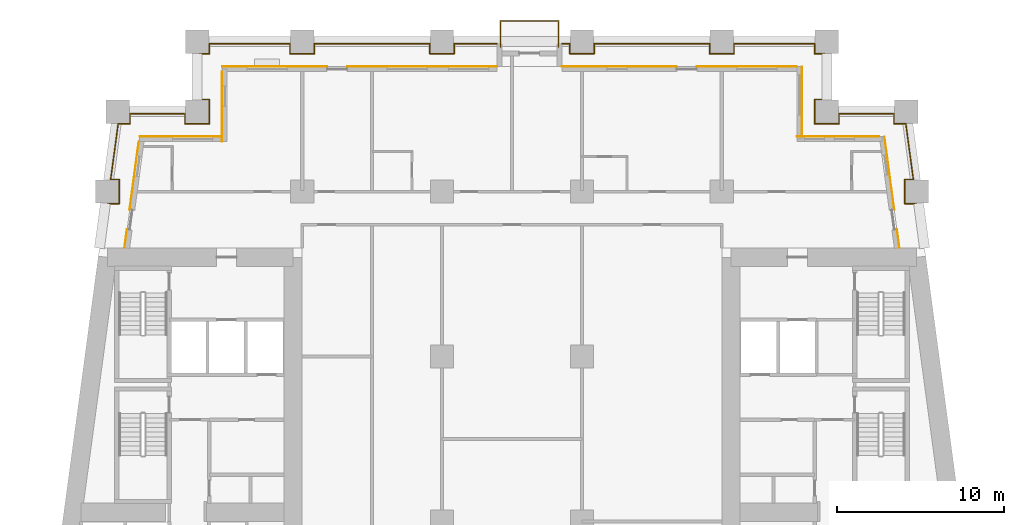
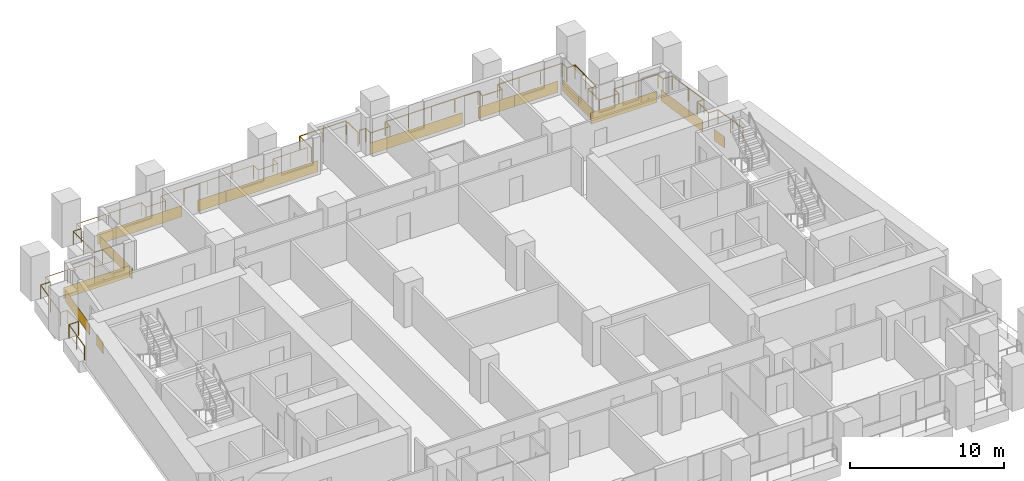
# One storey, part 11 of 12: 16 coverings, 3 railings.
"""IFC4 building model written with IfcOpenShell, lengths in metres."""

from ifc_helpers import new_model, si_unit, direction, frame, origin, origin_2d, place, context, subcontext, project, spatial, rectangle, circle, extrude, material, layer, layer_set, type_object, element, save


model = new_model("IFC4")

# Units and contexts
model_context = context("Model", 3, precision=1e-05, world=origin(), true_north=direction((0.0, 1.0)))
body_context = subcontext(model_context, "Body", "Model", "MODEL_VIEW")
ifc_project = project(units=[si_unit("LENGTHUNIT", "METRE"), si_unit("AREAUNIT", "SQUARE_METRE"), si_unit("VOLUMEUNIT", "CUBIC_METRE"), si_unit("PLANEANGLEUNIT", "RADIAN"), si_unit("MASSUNIT", "GRAM", prefix="KILO")], contexts=[model_context])

# Site, building, storey
site_placement = place(None, origin())
site = spatial("IfcSite", under=ifc_project, at=site_placement, CompositionType="ELEMENT")
building_placement = place(site_placement, origin())
building = spatial("IfcBuilding", under=site, at=building_placement, Name="Candeia Pilgrim Tower and Theatre", CompositionType="ELEMENT")
storey_placement = place(building_placement, frame((0.0, 0.0, 77.5)))
storey = spatial("IfcBuildingStorey", under=building, at=storey_placement, Name="L17", CompositionType="ELEMENT", Elevation=77.5)

# Railings
ifc_material_1 = material(Name="Stainless steel balustrade", Category="steel")
railing_type = type_object("IfcRailingType", Name="G1 loggia guard 1100", PredefinedType="GUARDRAIL", material=ifc_material_1)
railing_1_placement = place(storey_placement, frame((88.758544921875, 132.449951171875, 0.0)))
element("IfcRailing", 1, at=railing_1_placement, inside=storey, type_object=railing_type, Name="Guard L17.2", PredefinedType="GUARDRAIL", context=body_context, shape_type="SweptSolid", body=[
    extrude(circle(Radius=0.02392578125, at=origin_2d()), frame((0.0, 0.0, 1.076171875), z_axis=(0.133439920495, 0.991056904329, 0.0), x_axis=(-0.991056904329, 0.133439920495, 0.0)), (0.0, 0.0, 1.0), 2.643798828125),
    extrude(circle(Radius=0.02392578125, at=origin_2d()), frame((0.352783203125, 2.6201171875, 1.076171875), z_axis=(1.0, 0.0, 0.0), x_axis=(0.0, 1.0, 0.0)), (0.0, 0.0, 1.0), 0.70703125),
    extrude(circle(Radius=0.02392578125, at=origin_2d()), frame((1.059814453125, 2.6201171875, 1.076171875), z_axis=(0.0, 1.0, 0.0), x_axis=(-1.0, 0.0, 0.0)), (0.0, 0.0, 1.0), 1.4599609375),
    extrude(circle(Radius=0.02392578125, at=origin_2d()), frame((1.059814453125, 4.080078125, 1.076171875), z_axis=(-1.0, 0.0, 0.0), x_axis=(0.0, -1.0, 0.0)), (0.0, 0.0, 1.0), 0.510498046875),
    extrude(circle(Radius=0.02392578125, at=origin_2d()), frame((0.54931640625, 4.080078125, 1.076171875), z_axis=(0.133364121373, 0.991067107279, 0.0), x_axis=(-0.991067107279, 0.133364121373, 0.0)), (0.0, 0.0, 1.0), 3.3701171875),
    extrude(circle(Radius=0.02392578125, at=origin_2d()), frame((0.998779296875, 7.420166015625, 1.076171875), z_axis=(1.0, 0.0, 0.0), x_axis=(0.0, 1.0, 0.0)), (0.0, 0.0, 1.0), 0.707275390625),
    extrude(circle(Radius=0.02392578125, at=origin_2d()), frame((1.7060546875, 7.420166015625, 1.076171875), z_axis=(0.0, 1.0, 0.0), x_axis=(-1.0, 0.0, 0.0)), (0.0, 0.0, 1.0), 0.60986328125),
    extrude(circle(Radius=0.02392578125, at=origin_2d()), frame((1.7060546875, 8.030029296875, 1.076171875), z_axis=(1.0, 0.0, 0.0), x_axis=(0.0, 1.0, 0.0)), (0.0, 0.0, 1.0), 3.305419921875),
    extrude(circle(Radius=0.02392578125, at=origin_2d()), frame((5.011474609375, 8.030029296875, 1.076171875), z_axis=(0.0, -1.0, 0.0), x_axis=(1.0, 0.0, 0.0)), (0.0, 0.0, 1.0), 0.60986328125),
    extrude(circle(Radius=0.02392578125, at=origin_2d()), frame((5.011474609375, 7.420166015625, 1.076171875), z_axis=(1.0, 0.0, 0.0), x_axis=(0.0, 1.0, 0.0)), (0.0, 0.0, 1.0), 1.4599609375),
    extrude(circle(Radius=0.02392578125, at=origin_2d()), frame((6.471435546875, 7.420166015625, 1.076171875), z_axis=(0.0, 1.0, 0.0), x_axis=(-1.0, 0.0, 0.0)), (0.0, 0.0, 1.0), 1.4599609375),
    extrude(circle(Radius=0.02392578125, at=origin_2d()), frame((6.471435546875, 8.880126953125, 1.076171875), z_axis=(-1.0, 0.0, 0.0), x_axis=(0.0, -1.0, 0.0)), (0.0, 0.0, 1.0), 0.60986328125),
    extrude(circle(Radius=0.02392578125, at=origin_2d()), frame((5.861572265625, 8.880126953125, 1.076171875), z_axis=(0.0, 1.0, 0.0), x_axis=(-1.0, 0.0, 0.0)), (0.0, 0.0, 1.0), 2.739990234375),
    extrude(circle(Radius=0.02392578125, at=origin_2d()), frame((5.861572265625, 11.6201171875, 1.076171875), z_axis=(1.0, 0.0, 0.0), x_axis=(0.0, 1.0, 0.0)), (0.0, 0.0, 1.0), 0.60986328125),
    extrude(circle(Radius=0.02392578125, at=origin_2d()), frame((6.471435546875, 11.6201171875, 1.076171875), z_axis=(0.0, 1.0, 0.0), x_axis=(-1.0, 0.0, 0.0)), (0.0, 0.0, 1.0), 0.60986328125),
    extrude(circle(Radius=0.02392578125, at=origin_2d()), frame((6.471435546875, 12.22998046875, 1.076171875), z_axis=(1.0, 0.0, 0.0), x_axis=(0.0, 1.0, 0.0)), (0.0, 0.0, 1.0), 4.840087890625),
    extrude(circle(Radius=0.02392578125, at=origin_2d()), frame((11.3115234375, 12.22998046875, 1.076171875), z_axis=(0.0, -1.0, 0.0), x_axis=(1.0, 0.0, 0.0)), (0.0, 0.0, 1.0), 0.60986328125),
    extrude(circle(Radius=0.02392578125, at=origin_2d()), frame((11.3115234375, 11.6201171875, 1.076171875), z_axis=(1.0, 0.0, 0.0), x_axis=(0.0, 1.0, 0.0)), (0.0, 0.0, 1.0), 1.4599609375),
    extrude(circle(Radius=0.02392578125, at=origin_2d()), frame((12.771484375, 11.6201171875, 1.076171875), z_axis=(0.0, 1.0, 0.0), x_axis=(-1.0, 0.0, 0.0)), (0.0, 0.0, 1.0), 0.60986328125),
    extrude(circle(Radius=0.02392578125, at=origin_2d()), frame((12.771484375, 12.22998046875, 1.076171875), z_axis=(1.0, 0.0, 0.0), x_axis=(0.0, 1.0, 0.0)), (0.0, 0.0, 1.0), 6.93994140625),
    extrude(circle(Radius=0.02392578125, at=origin_2d()), frame((19.71142578125, 12.22998046875, 1.076171875), z_axis=(0.0, -1.0, 0.0), x_axis=(1.0, 0.0, 0.0)), (0.0, 0.0, 1.0), 0.60986328125),
    extrude(circle(Radius=0.02392578125, at=origin_2d()), frame((19.71142578125, 11.6201171875, 1.076171875), z_axis=(1.0, 0.0, 0.0), x_axis=(0.0, 1.0, 0.0)), (0.0, 0.0, 1.0), 1.4599609375),
    extrude(circle(Radius=0.02392578125, at=origin_2d()), frame((21.17138671875, 11.6201171875, 1.076171875), z_axis=(0.0, 1.0, 0.0), x_axis=(-1.0, 0.0, 0.0)), (0.0, 0.0, 1.0), 0.60986328125),
    extrude(circle(Radius=0.02392578125, at=origin_2d()), frame((21.17138671875, 12.22998046875, 1.076171875), z_axis=(1.0, 0.0, 0.0), x_axis=(0.0, 1.0, 0.0)), (0.0, 0.0, 1.0), 2.570068359375),
    extrude(circle(Radius=0.02099609375, at=origin_2d()), origin(), (0.0, 0.0, 1.0), 1.052001953125),
    extrude(circle(Radius=0.02099609375, at=origin_2d()), frame((0.17626953125, 1.31005859375, 0.0)), (0.0, 0.0, 1.0), 1.052001953125),
    extrude(circle(Radius=0.02099609375, at=origin_2d()), frame((0.352783203125, 2.6201171875, 0.0)), (0.0, 0.0, 1.0), 1.052001953125),
    extrude(circle(Radius=0.02099609375, at=origin_2d()), frame((1.059814453125, 2.6201171875, 0.0)), (0.0, 0.0, 1.0), 1.052001953125),
    extrude(circle(Radius=0.02099609375, at=origin_2d()), frame((1.059814453125, 4.080078125, 0.0)), (0.0, 0.0, 1.0), 1.052001953125),
    extrude(circle(Radius=0.02099609375, at=origin_2d()), frame((0.54931640625, 4.080078125, 0.0)), (0.0, 0.0, 1.0), 1.052001953125),
    extrude(circle(Radius=0.02099609375, at=origin_2d()), frame((0.77392578125, 5.75, 0.0)), (0.0, 0.0, 1.0), 1.052001953125),
    extrude(circle(Radius=0.02099609375, at=origin_2d()), frame((0.998779296875, 7.420166015625, 0.0)), (0.0, 0.0, 1.0), 1.052001953125),
    extrude(circle(Radius=0.02099609375, at=origin_2d()), frame((1.7060546875, 7.420166015625, 0.0)), (0.0, 0.0, 1.0), 1.052001953125),
    extrude(circle(Radius=0.02099609375, at=origin_2d()), frame((1.7060546875, 8.030029296875, 0.0)), (0.0, 0.0, 1.0), 1.052001953125),
    extrude(circle(Radius=0.02099609375, at=origin_2d()), frame((3.35888671875, 8.030029296875, 0.0)), (0.0, 0.0, 1.0), 1.052001953125),
    extrude(circle(Radius=0.02099609375, at=origin_2d()), frame((5.011474609375, 8.030029296875, 0.0)), (0.0, 0.0, 1.0), 1.052001953125),
    extrude(circle(Radius=0.02099609375, at=origin_2d()), frame((5.011474609375, 7.420166015625, 0.0)), (0.0, 0.0, 1.0), 1.052001953125),
    extrude(circle(Radius=0.02099609375, at=origin_2d()), frame((6.471435546875, 7.420166015625, 0.0)), (0.0, 0.0, 1.0), 1.052001953125),
    extrude(circle(Radius=0.02099609375, at=origin_2d()), frame((6.471435546875, 8.880126953125, 0.0)), (0.0, 0.0, 1.0), 1.052001953125),
    extrude(circle(Radius=0.02099609375, at=origin_2d()), frame((5.861572265625, 8.880126953125, 0.0)), (0.0, 0.0, 1.0), 1.052001953125),
    extrude(circle(Radius=0.02099609375, at=origin_2d()), frame((5.861572265625, 10.25, 0.0)), (0.0, 0.0, 1.0), 1.052001953125),
    extrude(circle(Radius=0.02099609375, at=origin_2d()), frame((5.861572265625, 11.6201171875, 0.0)), (0.0, 0.0, 1.0), 1.052001953125),
    extrude(circle(Radius=0.02099609375, at=origin_2d()), frame((6.471435546875, 11.6201171875, 0.0)), (0.0, 0.0, 1.0), 1.052001953125),
    extrude(circle(Radius=0.02099609375, at=origin_2d()), frame((6.471435546875, 12.22998046875, 0.0)), (0.0, 0.0, 1.0), 1.052001953125),
    extrude(circle(Radius=0.02099609375, at=origin_2d()), frame((8.084716796875, 12.22998046875, 0.0)), (0.0, 0.0, 1.0), 1.052001953125),
    extrude(circle(Radius=0.02099609375, at=origin_2d()), frame((9.6982421875, 12.22998046875, 0.0)), (0.0, 0.0, 1.0), 1.052001953125),
    extrude(circle(Radius=0.02099609375, at=origin_2d()), frame((11.3115234375, 12.22998046875, 0.0)), (0.0, 0.0, 1.0), 1.052001953125),
    extrude(circle(Radius=0.02099609375, at=origin_2d()), frame((11.3115234375, 11.6201171875, 0.0)), (0.0, 0.0, 1.0), 1.052001953125),
    extrude(circle(Radius=0.02099609375, at=origin_2d()), frame((12.771484375, 11.6201171875, 0.0)), (0.0, 0.0, 1.0), 1.052001953125),
    extrude(circle(Radius=0.02099609375, at=origin_2d()), frame((12.771484375, 12.22998046875, 0.0)), (0.0, 0.0, 1.0), 1.052001953125),
    extrude(circle(Radius=0.02099609375, at=origin_2d()), frame((14.50634765625, 12.22998046875, 0.0)), (0.0, 0.0, 1.0), 1.052001953125),
    extrude(circle(Radius=0.02099609375, at=origin_2d()), frame((16.241455078125, 12.22998046875, 0.0)), (0.0, 0.0, 1.0), 1.052001953125),
    extrude(circle(Radius=0.02099609375, at=origin_2d()), frame((17.9765625, 12.22998046875, 0.0)), (0.0, 0.0, 1.0), 1.052001953125),
    extrude(circle(Radius=0.02099609375, at=origin_2d()), frame((19.71142578125, 12.22998046875, 0.0)), (0.0, 0.0, 1.0), 1.052001953125),
    extrude(circle(Radius=0.02099609375, at=origin_2d()), frame((19.71142578125, 11.6201171875, 0.0)), (0.0, 0.0, 1.0), 1.052001953125),
    extrude(circle(Radius=0.02099609375, at=origin_2d()), frame((21.17138671875, 11.6201171875, 0.0)), (0.0, 0.0, 1.0), 1.052001953125),
    extrude(circle(Radius=0.02099609375, at=origin_2d()), frame((21.17138671875, 12.22998046875, 0.0)), (0.0, 0.0, 1.0), 1.052001953125),
    extrude(circle(Radius=0.02099609375, at=origin_2d()), frame((22.45654296875, 12.22998046875, 0.0)), (0.0, 0.0, 1.0), 1.052001953125),
    extrude(circle(Radius=0.02099609375, at=origin_2d()), frame((23.741455078125, 12.22998046875, 0.0)), (0.0, 0.0, 1.0), 1.052001953125),
])
railing_2_placement = place(storey_placement, frame((116.39990234375, 144.679931640625, 0.0)))
element("IfcRailing", 2, at=railing_2_placement, inside=storey, type_object=railing_type, Name="Guard L17.3", PredefinedType="GUARDRAIL", context=body_context, shape_type="SweptSolid", body=[
    extrude(circle(Radius=0.02392578125, at=origin_2d()), frame((0.0, 0.0, 1.076171875), z_axis=(1.0, 0.0, 0.0), x_axis=(0.0, 1.0, 0.0)), (0.0, 0.0, 1.0), 0.47021484375),
    extrude(circle(Radius=0.02392578125, at=origin_2d()), frame((0.47021484375, 0.0, 1.076171875), z_axis=(0.0, -1.0, 0.0), x_axis=(1.0, 0.0, 0.0)), (0.0, 0.0, 1.0), 0.60986328125),
    extrude(circle(Radius=0.02392578125, at=origin_2d()), frame((0.47021484375, -0.60986328125, 1.076171875), z_axis=(1.0, 0.0, 0.0), x_axis=(0.0, 1.0, 0.0)), (0.0, 0.0, 1.0), 1.4599609375),
    extrude(circle(Radius=0.02392578125, at=origin_2d()), frame((1.93017578125, -0.60986328125, 1.076171875), z_axis=(0.0, 1.0, 0.0), x_axis=(-1.0, 0.0, 0.0)), (0.0, 0.0, 1.0), 0.60986328125),
    extrude(circle(Radius=0.02392578125, at=origin_2d()), frame((1.93017578125, 0.0, 1.076171875), z_axis=(1.0, 0.0, 0.0), x_axis=(0.0, 1.0, 0.0)), (0.0, 0.0, 1.0), 6.93994140625),
    extrude(circle(Radius=0.02392578125, at=origin_2d()), frame((8.8701171875, 0.0, 1.076171875), z_axis=(0.0, -1.0, 0.0), x_axis=(1.0, 0.0, 0.0)), (0.0, 0.0, 1.0), 0.60986328125),
    extrude(circle(Radius=0.02392578125, at=origin_2d()), frame((8.8701171875, -0.60986328125, 1.076171875), z_axis=(1.0, 0.0, 0.0), x_axis=(0.0, 1.0, 0.0)), (0.0, 0.0, 1.0), 1.4599609375),
    extrude(circle(Radius=0.02392578125, at=origin_2d()), frame((10.330078125, -0.60986328125, 1.076171875), z_axis=(0.0, 1.0, 0.0), x_axis=(-1.0, 0.0, 0.0)), (0.0, 0.0, 1.0), 0.60986328125),
    extrude(circle(Radius=0.02392578125, at=origin_2d()), frame((10.330078125, 0.0, 1.076171875), z_axis=(1.0, 0.0, 0.0), x_axis=(0.0, 1.0, 0.0)), (0.0, 0.0, 1.0), 4.840087890625),
    extrude(circle(Radius=0.02392578125, at=origin_2d()), frame((15.170166015625, 0.0, 1.076171875), z_axis=(0.0, -1.0, 0.0), x_axis=(1.0, 0.0, 0.0)), (0.0, 0.0, 1.0), 0.60986328125),
    extrude(circle(Radius=0.02392578125, at=origin_2d()), frame((15.170166015625, -0.60986328125, 1.076171875), z_axis=(1.0, 0.0, 0.0), x_axis=(0.0, 1.0, 0.0)), (0.0, 0.0, 1.0), 0.60986328125),
    extrude(circle(Radius=0.02392578125, at=origin_2d()), frame((15.780029296875, -0.60986328125, 1.076171875), z_axis=(0.0, -1.0, 0.0), x_axis=(1.0, 0.0, 0.0)), (0.0, 0.0, 1.0), 2.739990234375),
    extrude(circle(Radius=0.02392578125, at=origin_2d()), frame((15.780029296875, -3.349853515625, 1.076171875), z_axis=(-1.0, 0.0, 0.0), x_axis=(0.0, -1.0, 0.0)), (0.0, 0.0, 1.0), 0.60986328125),
    extrude(circle(Radius=0.02392578125, at=origin_2d()), frame((15.170166015625, -3.349853515625, 1.076171875), z_axis=(0.0, -1.0, 0.0), x_axis=(1.0, 0.0, 0.0)), (0.0, 0.0, 1.0), 1.4599609375),
    extrude(circle(Radius=0.02392578125, at=origin_2d()), frame((15.170166015625, -4.809814453125, 1.076171875), z_axis=(1.0, 0.0, 0.0), x_axis=(0.0, 1.0, 0.0)), (0.0, 0.0, 1.0), 1.4599609375),
    extrude(circle(Radius=0.02392578125, at=origin_2d()), frame((16.630126953125, -4.809814453125, 1.076171875), z_axis=(0.0, 1.0, 0.0), x_axis=(-1.0, 0.0, 0.0)), (0.0, 0.0, 1.0), 0.60986328125),
    extrude(circle(Radius=0.02392578125, at=origin_2d()), frame((16.630126953125, -4.199951171875, 1.076171875), z_axis=(1.0, 0.0, 0.0), x_axis=(0.0, 1.0, 0.0)), (0.0, 0.0, 1.0), 3.305419921875),
    extrude(circle(Radius=0.02392578125, at=origin_2d()), frame((19.935546875, -4.199951171875, 1.076171875), z_axis=(0.0, -1.0, 0.0), x_axis=(1.0, 0.0, 0.0)), (0.0, 0.0, 1.0), 0.60986328125),
    extrude(circle(Radius=0.02392578125, at=origin_2d()), frame((19.935546875, -4.809814453125, 1.076171875), z_axis=(1.0, 0.0, 0.0), x_axis=(0.0, 1.0, 0.0)), (0.0, 0.0, 1.0), 0.70703125),
    extrude(circle(Radius=0.02392578125, at=origin_2d()), frame((20.642578125, -4.809814453125, 1.076171875), z_axis=(0.133435273035, -0.991057530071, 0.0), x_axis=(0.991057530071, 0.133435273035, 0.0)), (0.0, 0.0, 1.0), 3.3701171875),
    extrude(circle(Radius=0.02392578125, at=origin_2d()), frame((21.09228515625, -8.14990234375, 1.076171875), z_axis=(-1.0, 0.0, 0.0), x_axis=(0.0, -1.0, 0.0)), (0.0, 0.0, 1.0), 0.5107421875),
    extrude(circle(Radius=0.02392578125, at=origin_2d()), frame((20.58154296875, -8.14990234375, 1.076171875), z_axis=(0.0, -1.0, 0.0), x_axis=(1.0, 0.0, 0.0)), (0.0, 0.0, 1.0), 1.4599609375),
    extrude(circle(Radius=0.02392578125, at=origin_2d()), frame((20.58154296875, -9.60986328125, 1.076171875), z_axis=(1.0, 0.0, 0.0), x_axis=(0.0, 1.0, 0.0)), (0.0, 0.0, 1.0), 0.707275390625),
    extrude(circle(Radius=0.02392578125, at=origin_2d()), frame((21.288818359375, -9.60986328125, 1.076171875), z_axis=(0.133439920495, -0.991056904329, 0.0), x_axis=(0.991056904329, 0.133439920495, 0.0)), (0.0, 0.0, 1.0), 2.643798828125),
    extrude(circle(Radius=0.02099609375, at=origin_2d()), origin(), (0.0, 0.0, 1.0), 1.052001953125),
    extrude(circle(Radius=0.02099609375, at=origin_2d()), frame((0.47021484375, 0.0, 0.0)), (0.0, 0.0, 1.0), 1.052001953125),
    extrude(circle(Radius=0.02099609375, at=origin_2d()), frame((0.47021484375, -0.60986328125, 0.0)), (0.0, 0.0, 1.0), 1.052001953125),
    extrude(circle(Radius=0.02099609375, at=origin_2d()), frame((1.93017578125, -0.60986328125, 0.0)), (0.0, 0.0, 1.0), 1.052001953125),
    extrude(circle(Radius=0.02099609375, at=origin_2d()), frame((1.93017578125, 0.0, 0.0)), (0.0, 0.0, 1.0), 1.052001953125),
    extrude(circle(Radius=0.02099609375, at=origin_2d()), frame((3.6650390625, 0.0, 0.0)), (0.0, 0.0, 1.0), 1.052001953125),
    extrude(circle(Radius=0.02099609375, at=origin_2d()), frame((5.400146484375, 0.0, 0.0)), (0.0, 0.0, 1.0), 1.052001953125),
    extrude(circle(Radius=0.02099609375, at=origin_2d()), frame((7.13525390625, 0.0, 0.0)), (0.0, 0.0, 1.0), 1.052001953125),
    extrude(circle(Radius=0.02099609375, at=origin_2d()), frame((8.8701171875, 0.0, 0.0)), (0.0, 0.0, 1.0), 1.052001953125),
    extrude(circle(Radius=0.02099609375, at=origin_2d()), frame((8.8701171875, -0.60986328125, 0.0)), (0.0, 0.0, 1.0), 1.052001953125),
    extrude(circle(Radius=0.02099609375, at=origin_2d()), frame((10.330078125, -0.60986328125, 0.0)), (0.0, 0.0, 1.0), 1.052001953125),
    extrude(circle(Radius=0.02099609375, at=origin_2d()), frame((10.330078125, 0.0, 0.0)), (0.0, 0.0, 1.0), 1.052001953125),
    extrude(circle(Radius=0.02099609375, at=origin_2d()), frame((11.943359375, 0.0, 0.0)), (0.0, 0.0, 1.0), 1.052001953125),
    extrude(circle(Radius=0.02099609375, at=origin_2d()), frame((13.556884765625, 0.0, 0.0)), (0.0, 0.0, 1.0), 1.052001953125),
    extrude(circle(Radius=0.02099609375, at=origin_2d()), frame((15.170166015625, 0.0, 0.0)), (0.0, 0.0, 1.0), 1.052001953125),
    extrude(circle(Radius=0.02099609375, at=origin_2d()), frame((15.170166015625, -0.60986328125, 0.0)), (0.0, 0.0, 1.0), 1.052001953125),
    extrude(circle(Radius=0.02099609375, at=origin_2d()), frame((15.780029296875, -0.60986328125, 0.0)), (0.0, 0.0, 1.0), 1.052001953125),
    extrude(circle(Radius=0.02099609375, at=origin_2d()), frame((15.780029296875, -1.97998046875, 0.0)), (0.0, 0.0, 1.0), 1.052001953125),
    extrude(circle(Radius=0.02099609375, at=origin_2d()), frame((15.780029296875, -3.349853515625, 0.0)), (0.0, 0.0, 1.0), 1.052001953125),
    extrude(circle(Radius=0.02099609375, at=origin_2d()), frame((15.170166015625, -3.349853515625, 0.0)), (0.0, 0.0, 1.0), 1.052001953125),
    extrude(circle(Radius=0.02099609375, at=origin_2d()), frame((15.170166015625, -4.809814453125, 0.0)), (0.0, 0.0, 1.0), 1.052001953125),
    extrude(circle(Radius=0.02099609375, at=origin_2d()), frame((16.630126953125, -4.809814453125, 0.0)), (0.0, 0.0, 1.0), 1.052001953125),
    extrude(circle(Radius=0.02099609375, at=origin_2d()), frame((16.630126953125, -4.199951171875, 0.0)), (0.0, 0.0, 1.0), 1.052001953125),
    extrude(circle(Radius=0.02099609375, at=origin_2d()), frame((18.28271484375, -4.199951171875, 0.0)), (0.0, 0.0, 1.0), 1.052001953125),
    extrude(circle(Radius=0.02099609375, at=origin_2d()), frame((19.935546875, -4.199951171875, 0.0)), (0.0, 0.0, 1.0), 1.052001953125),
    extrude(circle(Radius=0.02099609375, at=origin_2d()), frame((19.935546875, -4.809814453125, 0.0)), (0.0, 0.0, 1.0), 1.052001953125),
    extrude(circle(Radius=0.02099609375, at=origin_2d()), frame((20.642578125, -4.809814453125, 0.0)), (0.0, 0.0, 1.0), 1.052001953125),
    extrude(circle(Radius=0.02099609375, at=origin_2d()), frame((20.867431640625, -6.47998046875, 0.0)), (0.0, 0.0, 1.0), 1.052001953125),
    extrude(circle(Radius=0.02099609375, at=origin_2d()), frame((21.09228515625, -8.14990234375, 0.0)), (0.0, 0.0, 1.0), 1.052001953125),
    extrude(circle(Radius=0.02099609375, at=origin_2d()), frame((20.58154296875, -8.14990234375, 0.0)), (0.0, 0.0, 1.0), 1.052001953125),
    extrude(circle(Radius=0.02099609375, at=origin_2d()), frame((20.58154296875, -9.60986328125, 0.0)), (0.0, 0.0, 1.0), 1.052001953125),
    extrude(circle(Radius=0.02099609375, at=origin_2d()), frame((21.288818359375, -9.60986328125, 0.0)), (0.0, 0.0, 1.0), 1.052001953125),
    extrude(circle(Radius=0.02099609375, at=origin_2d()), frame((21.46533203125, -10.919921875, 0.0)), (0.0, 0.0, 1.0), 1.052001953125),
    extrude(circle(Radius=0.02099609375, at=origin_2d()), frame((21.6416015625, -12.22998046875, 0.0)), (0.0, 0.0, 1.0), 1.052001953125),
])
railing_3_placement = place(storey_placement, frame((112.7099609375, 144.5, 0.0)))
element("IfcRailing", 3, at=railing_3_placement, inside=storey, type_object=railing_type, Name="Balcony guard L17", PredefinedType="GUARDRAIL", context=body_context, shape_type="SweptSolid", body=[
    extrude(circle(Radius=0.02392578125, at=origin_2d()), frame((0.0, 0.0, 1.076171875), z_axis=(0.0, 1.0, 0.0), x_axis=(-1.0, 0.0, 0.0)), (0.0, 0.0, 1.0), 1.5400390625),
    extrude(circle(Radius=0.02392578125, at=origin_2d()), frame((0.0, 1.5400390625, 1.076171875), z_axis=(1.0, 0.0, 0.0), x_axis=(0.0, 1.0, 0.0)), (0.0, 0.0, 1.0), 3.47998046875),
    extrude(circle(Radius=0.02392578125, at=origin_2d()), frame((3.47998046875, 1.5400390625, 1.076171875), z_axis=(0.0, -1.0, 0.0), x_axis=(1.0, 0.0, 0.0)), (0.0, 0.0, 1.0), 1.5400390625),
    extrude(circle(Radius=0.02099609375, at=origin_2d()), origin(), (0.0, 0.0, 1.0), 1.052001953125),
    extrude(circle(Radius=0.02099609375, at=origin_2d()), frame((0.0, 1.5400390625, 0.0)), (0.0, 0.0, 1.0), 1.052001953125),
    extrude(circle(Radius=0.02099609375, at=origin_2d()), frame((1.739990234375, 1.5400390625, 0.0)), (0.0, 0.0, 1.0), 1.052001953125),
    extrude(circle(Radius=0.02099609375, at=origin_2d()), frame((3.47998046875, 1.5400390625, 0.0)), (0.0, 0.0, 1.0), 1.052001953125),
    extrude(circle(Radius=0.02099609375, at=origin_2d()), frame((3.47998046875, 0.0, 0.0)), (0.0, 0.0, 1.0), 1.052001953125),
])

# Coverings
ifc_material_2 = material(Name="Glazed ceramic tile deep red")
ifc_layer_1 = layer(ifc_material_2, 0.02001953125)
ifc_layer_set_1 = layer_set([ifc_layer_1], Name="Glazed ceramic tile deep red")
covering_type_1 = type_object("IfcCoveringType", Name="Glazed ceramic tile deep red", PredefinedType="CLADDING", material=ifc_layer_set_1)
covering_1_placement = place(storey_placement, frame((132.976318359375, 139.110107421875, 0.0), z_axis=(0.0, 0.0, 1.0), x_axis=(-1.0, 0.0, 0.0)))
element("IfcCovering", 4, at=covering_1_placement, inside=storey, type_object=covering_type_1, Name="Tile cladding deep red L17", PredefinedType="CLADDING", context=body_context, shape_type="SweptSolid", body=[
    extrude(rectangle(XDim=4.95263671875, YDim=0.02001953125, at=origin_2d()), origin(), (0.0, 0.0, 1.0), 0.89990234375),
])
covering_2_placement = place(storey_placement, frame((130.81005859375, 142.25, 0.0), z_axis=(0.0, 0.0, 1.0), x_axis=(0.0, 1.0, 0.0)))
element("IfcCovering", 5, at=covering_2_placement, inside=storey, type_object=covering_type_1, Name="Tile cladding deep red L17", PredefinedType="CLADDING", context=body_context, shape_type="SweptSolid", body=[
    extrude(rectangle(XDim=2.10009765625, YDim=0.02001953125, at=origin_2d()), origin(), (0.0, 0.0, 1.0), 0.89990234375),
])
covering_3_placement = place(storey_placement, frame((128.840087890625, 143.31005859375, 0.0), z_axis=(0.0, 0.0, 1.0), x_axis=(-1.0, 0.0, 0.0)))
element("IfcCovering", 6, at=covering_3_placement, inside=storey, type_object=covering_type_1, Name="Tile cladding deep red L17", PredefinedType="CLADDING", context=body_context, shape_type="SweptSolid", body=[
    extrude(rectangle(XDim=3.280029296875, YDim=0.02001953125, at=origin_2d()), origin(), (0.0, 0.0, 1.0), 0.89990234375),
])
covering_4_placement = place(storey_placement, frame((104.550048828125, 143.31005859375, 0.0), z_axis=(0.0, 0.0, 1.0), x_axis=(-1.0, 0.0, 0.0)))
element("IfcCovering", 7, at=covering_4_placement, inside=storey, type_object=covering_type_1, Name="Tile cladding deep red L17", PredefinedType="CLADDING", context=body_context, shape_type="SweptSolid", body=[
    extrude(rectangle(XDim=2.10009765625, YDim=0.02001953125, at=origin_2d()), origin(), (0.0, 0.0, 1.0), 0.89990234375),
])
covering_5_placement = place(storey_placement, frame((99.14990234375, 143.31005859375, 0.0), z_axis=(0.0, 0.0, 1.0), x_axis=(-1.0, 0.0, 0.0)))
element("IfcCovering", 8, at=covering_5_placement, inside=storey, type_object=covering_type_1, Name="Tile cladding deep red L17", PredefinedType="CLADDING", context=body_context, shape_type="SweptSolid", body=[
    extrude(rectangle(XDim=6.300048828125, YDim=0.02001953125, at=origin_2d()), origin(), (0.0, 0.0, 1.0), 0.89990234375),
])
covering_6_placement = place(storey_placement, frame((95.989990234375, 142.090087890625, 0.0), z_axis=(0.0, 0.0, 1.0), x_axis=(0.0, -1.0, 0.0)))
element("IfcCovering", 9, at=covering_6_placement, inside=storey, type_object=covering_type_1, Name="Tile cladding deep red L17", PredefinedType="CLADDING", context=body_context, shape_type="SweptSolid", body=[
    extrude(rectangle(XDim=1.780029296875, YDim=0.02001953125, at=origin_2d()), origin(), (0.0, 0.0, 1.0), 0.89990234375),
])
covering_7_placement = place(storey_placement, frame((93.51318359375, 139.110107421875, 0.0), z_axis=(0.0, 0.0, 1.0), x_axis=(-1.0, 0.0, 0.0)))
element("IfcCovering", 10, at=covering_7_placement, inside=storey, type_object=covering_type_1, Name="Tile cladding deep red L17", PredefinedType="CLADDING", context=body_context, shape_type="SweptSolid", body=[
    extrude(rectangle(XDim=4.933837890625, YDim=0.02001953125, at=origin_2d()), origin(), (0.0, 0.0, 1.0), 0.89990234375),
])
ifc_material_3 = material(Name="Glazed ceramic tile red")
ifc_layer_2 = layer(ifc_material_3, 0.02001953125)
ifc_layer_set_2 = layer_set([ifc_layer_2], Name="Glazed ceramic tile red")
covering_type_2 = type_object("IfcCoveringType", Name="Glazed ceramic tile red", PredefinedType="CLADDING", material=ifc_layer_set_2)
covering_8_placement = place(storey_placement, frame((136.588623046875, 132.97412109375, 0.0), z_axis=(0.0, 0.0, 1.0), x_axis=(-0.133412012145, 0.991060661622, 0.0)))
element("IfcCovering", 11, at=covering_8_placement, inside=storey, type_object=covering_type_2, Name="Tile cladding red L17", PredefinedType="CLADDING", context=body_context, shape_type="SweptSolid", body=[
    extrude(rectangle(XDim=1.115234375, YDim=0.02001953125, at=origin_2d()), origin(), (0.0, 0.0, 1.0), 0.89990234375),
])
covering_9_placement = place(storey_placement, frame((136.058837890625, 136.90869140625, 0.0), z_axis=(0.0, 0.0, 1.0), x_axis=(-0.133412012145, 0.991060661622, 0.0)))
element("IfcCovering", 12, at=covering_9_placement, inside=storey, type_object=covering_type_2, Name="Tile cladding red L17", PredefinedType="CLADDING", context=body_context, shape_type="SweptSolid", body=[
    extrude(rectangle(XDim=4.4248046875, YDim=0.02001953125, at=origin_2d()), origin(), (0.0, 0.0, 1.0), 0.89990234375),
])
covering_10_placement = place(storey_placement, frame((130.81005859375, 140.159912109375, 0.0), z_axis=(0.0, 0.0, 1.0), x_axis=(0.0, 1.0, 0.0)))
element("IfcCovering", 13, at=covering_10_placement, inside=storey, type_object=covering_type_2, Name="Tile cladding red L17", PredefinedType="CLADDING", context=body_context, shape_type="SweptSolid", body=[
    extrude(rectangle(XDim=2.080078125, YDim=0.02001953125, at=origin_2d()), origin(), (0.0, 0.0, 1.0), 0.89990234375),
])
covering_11_placement = place(storey_placement, frame((125.85009765625, 143.31005859375, 0.0), z_axis=(0.0, 0.0, 1.0), x_axis=(-1.0, 0.0, 0.0)))
element("IfcCovering", 14, at=covering_11_placement, inside=storey, type_object=covering_type_2, Name="Tile cladding red L17", PredefinedType="CLADDING", context=body_context, shape_type="SweptSolid", body=[
    extrude(rectangle(XDim=2.699951171875, YDim=0.02001953125, at=origin_2d()), origin(), (0.0, 0.0, 1.0), 0.89990234375),
])
for number, where, z_axis, x_axis, name in (
    (15, (119.85009765625, 143.31005859375, 0.0), (0.0, 0.0, 1.0), (-1.0, 0.0, 0.0), "Tile cladding red L17"),
    (16, (109.050048828125, 143.31005859375, 0.0), (0.0, 0.0, 1.0), (-1.0, 0.0, 0.0), "Tile cladding red L17"),
):
    element("IfcCovering", number, at=place(storey_placement, frame(where, z_axis=z_axis, x_axis=x_axis)), inside=storey, type_object=covering_type_2, Name=name, PredefinedType="CLADDING", context=body_context, shape_type="SweptSolid", body=[
        extrude(rectangle(XDim=6.89990234375, YDim=0.02001953125, at=origin_2d()), origin(), (0.0, 0.0, 1.0), 0.89990234375),
    ])
covering_12_placement = place(storey_placement, frame((95.989990234375, 140.0, 0.0), z_axis=(0.0, 0.0, 1.0), x_axis=(0.0, -1.0, 0.0)))
element("IfcCovering", 17, at=covering_12_placement, inside=storey, type_object=covering_type_2, Name="Tile cladding red L17", PredefinedType="CLADDING", context=body_context, shape_type="SweptSolid", body=[
    extrude(rectangle(XDim=2.39990234375, YDim=0.02001953125, at=origin_2d()), origin(), (0.0, 0.0, 1.0), 0.89990234375),
])
covering_13_placement = place(storey_placement, frame((90.720947265625, 136.759521484375, 0.0), z_axis=(0.0, 0.0, 1.0), x_axis=(-0.133412012145, -0.991060661622, 0.0)))
element("IfcCovering", 18, at=covering_13_placement, inside=storey, type_object=covering_type_2, Name="Tile cladding red L17", PredefinedType="CLADDING", context=body_context, shape_type="SweptSolid", body=[
    extrude(rectangle(XDim=4.123779296875, YDim=0.02001953125, at=origin_2d()), origin(), (0.0, 0.0, 1.0), 0.89990234375),
])
covering_14_placement = place(storey_placement, frame((90.21142578125, 132.97412109375, 0.0), z_axis=(0.0, 0.0, 1.0), x_axis=(-0.133412012145, -0.991060661622, 0.0)))
element("IfcCovering", 19, at=covering_14_placement, inside=storey, type_object=covering_type_2, Name="Tile cladding red L17", PredefinedType="CLADDING", context=body_context, shape_type="SweptSolid", body=[
    extrude(rectangle(XDim=1.115234375, YDim=0.02001953125, at=origin_2d()), origin(), (0.0, 0.0, 1.0), 0.89990234375),
])

save(model, "model.ifc")
